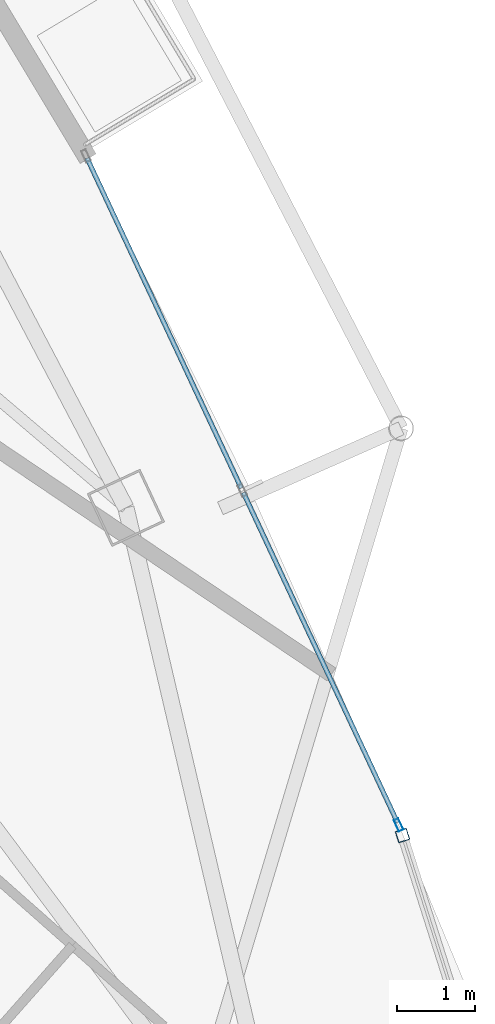
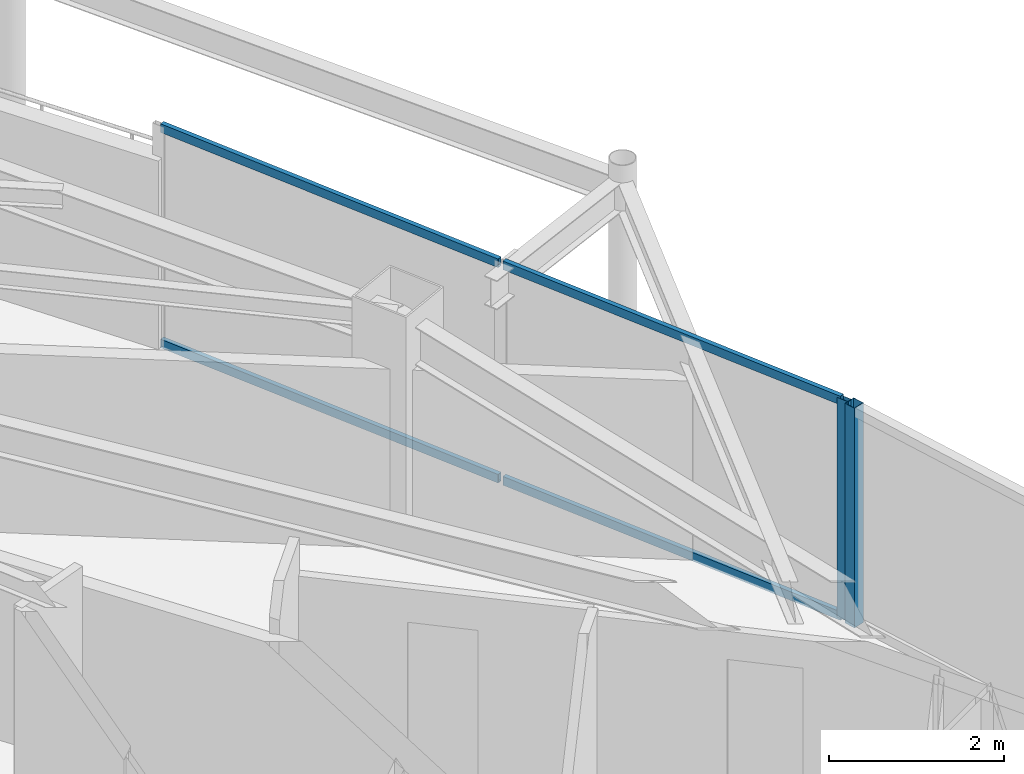
# One storey, part 16 of 29: 6 members, 2 elements without a shape of their own.
"""IFC4 building model written with IfcOpenShell, lengths in metres."""

from ifc_helpers import new_model, si_unit, direction, frame, origin, origin_2d, place, context, subcontext, project, spatial, hollow_rectangle, extrude, material, layer, layer_set, material_profile, profile_set, type_object, element, aggregate, save


model = new_model("IFC4")

# Units and contexts
model_context = context("Model", 3, precision=1e-05, world=origin(), true_north=direction((0.0, 1.0)))
body_context = subcontext(model_context, "Body", "Model", "MODEL_VIEW")
ifc_project = project(units=[si_unit("LENGTHUNIT", "METRE"), si_unit("AREAUNIT", "SQUARE_METRE"), si_unit("VOLUMEUNIT", "CUBIC_METRE"), si_unit("PLANEANGLEUNIT", "RADIAN"), si_unit("MASSUNIT", "GRAM", prefix="KILO")], contexts=[model_context])

# Site, building, storey
site_placement = place(None, origin())
site = spatial("IfcSite", under=ifc_project, at=site_placement, CompositionType="ELEMENT")
building_placement = place(site_placement, origin())
building = spatial("IfcBuilding", under=site, at=building_placement, Name="Orvanel Arch Residences", CompositionType="ELEMENT")
storey_placement = place(building_placement, frame((0.0, 0.0, 250.25)))
storey = spatial("IfcBuildingStorey", under=building, at=storey_placement, Name="L71", CompositionType="ELEMENT", Elevation=250.25)

# Curtain wall, member
ifc_material = material(Name="Bronze-anodised aluminium AA6063-T6", Category="aluminium")
ifc_layer_1 = layer(ifc_material, 0.18994140625)
ifc_layer_set_1 = layer_set([ifc_layer_1], Name="Bronze-anodised aluminium AA6063-T6")
curtain_wall_type_1 = type_object("IfcCurtainWallType", Name="CW5-CRN-SYS", PredefinedType="NOTDEFINED", material=ifc_layer_set_1)
curtain_wall_1_placement = place(storey_placement, origin())
curtain_wall_1 = element("IfcCurtainWall", 1, at=curtain_wall_1_placement, inside=storey, type_object=curtain_wall_type_1, Name="L71 CW5-CRN-SYS Unitised Curtain Wall", PredefinedType="NOTDEFINED")
ifc_material_profile_1 = material_profile(ifc_material, hollow_rectangle(XDim=0.14990234375, YDim=0.14990234375, WallThickness=0.0048828125, at=origin_2d()), Name="ALU150x150x5")
ifc_profile_set_1 = profile_set([ifc_material_profile_1], Name="Bronze-anodised aluminium AA6063-T6")
member_type_1 = type_object("IfcMemberType", Name="MUL-150x150", PredefinedType="MULLION", material=ifc_profile_set_1)
member_1_placement = place(storey_placement, frame((53.20166015625, 15.41357421875, 0.0), z_axis=(0.0, 0.0, 1.0), x_axis=(-0.953089092544, -0.302689910097, 0.0)))
member_1 = element("IfcMember", 2, at=member_1_placement, type_object=member_type_1, Name="CW-S5 mullion 2", PredefinedType="MULLION", context=body_context, shape_type="SweptSolid", body=[
    extrude(hollow_rectangle(XDim=0.14990234375, YDim=0.14990234375, WallThickness=0.0048828125, at=origin_2d()), origin(), (0.0, 0.0, 1.0), 3.06005859375),
])
aggregate(curtain_wall_1, [member_1])

# Curtain wall, members
ifc_layer_2 = layer(ifc_material, 0.175048828125)
ifc_layer_set_2 = layer_set([ifc_layer_2], Name="Bronze-anodised aluminium AA6063-T6")
curtain_wall_type_2 = type_object("IfcCurtainWallType", Name="CW4-HI-SYS", PredefinedType="NOTDEFINED", material=ifc_layer_set_2)
curtain_wall_2_placement = place(storey_placement, origin())
curtain_wall_2 = element("IfcCurtainWall", 3, at=curtain_wall_2_placement, inside=storey, type_object=curtain_wall_type_2, Name="L71 CW4-HI-SYS Unitised Curtain Wall", PredefinedType="NOTDEFINED")
ifc_material_profile_2 = material_profile(ifc_material, hollow_rectangle(XDim=0.06494140625, YDim=0.159912109375, WallThickness=0.00390625, at=origin_2d()), Name="ALU160x65x4")
ifc_profile_set_2 = profile_set([ifc_material_profile_2], Name="Bronze-anodised aluminium AA6063-T6")
member_type_2 = type_object("IfcMemberType", Name="MUL-160x65", PredefinedType="MULLION", material=ifc_profile_set_2)
member_2_placement = place(storey_placement, frame((53.151123046875, 15.551513671875, 0.0), z_axis=(0.0, 0.0, 1.0), x_axis=(-0.905975305707, -0.423330539235, 0.0)))
member_2 = element("IfcMember", 4, at=member_2_placement, type_object=member_type_2, Name="CW-S4 mullion 1", PredefinedType="MULLION", context=body_context, shape_type="SweptSolid", body=[
    extrude(hollow_rectangle(XDim=0.06494140625, YDim=0.159912109375, WallThickness=0.00390625, at=origin_2d()), origin(), (0.0, 0.0, 1.0), 3.06005859375),
])
ifc_material_profile_3 = material_profile(ifc_material, hollow_rectangle(XDim=0.06005859375, YDim=0.1201171875, WallThickness=0.00341796875, at=origin_2d()), Name="ALU120x60x3.5")
ifc_profile_set_3 = profile_set([ifc_material_profile_3], Name="Bronze-anodised aluminium AA6063-T6")
member_type_3 = type_object("IfcMemberType", Name="TRN-120x60", PredefinedType="USERDEFINED", material=ifc_profile_set_3)
member_3_placement = place(storey_placement, frame((53.137451171875, 15.580810546875, 0.030029296875), z_axis=(-0.423323424592, 0.905978630097, 0.0), x_axis=(-0.905978630097, -0.423323424592, 0.0)))
member_3 = element("IfcMember", 5, at=member_3_placement, type_object=member_type_3, Name="CW-S4 transom 1.1", ObjectType="TRANSOM", PredefinedType="USERDEFINED", context=body_context, shape_type="SweptSolid", body=[
    extrude(hollow_rectangle(XDim=0.06005859375, YDim=0.1201171875, WallThickness=0.00341796875, at=origin_2d()), origin(), (0.0, 0.0, 1.0), 4.69921875),
])
member_4_placement = place(storey_placement, frame((53.137451171875, 15.580810546875, 3.030029296875), z_axis=(-0.423323424592, 0.905978630097, 0.0), x_axis=(-0.905978630097, -0.423323424592, 0.0)))
member_4 = element("IfcMember", 6, at=member_4_placement, type_object=member_type_3, Name="CW-S4 transom 1.2", ObjectType="TRANSOM", PredefinedType="USERDEFINED", context=body_context, shape_type="SweptSolid", body=[
    extrude(hollow_rectangle(XDim=0.06005859375, YDim=0.1201171875, WallThickness=0.00341796875, at=origin_2d()), origin(), (0.0, 0.0, 1.0), 4.69921875),
])
member_5_placement = place(storey_placement, frame((51.120849609375, 19.89697265625, 0.030029296875), z_axis=(-0.423343351033, 0.905969319092, 0.0), x_axis=(-0.905969319092, -0.423343351033, 0.0)))
member_5 = element("IfcMember", 7, at=member_5_placement, type_object=member_type_3, Name="CW-S4 transom 2.1", ObjectType="TRANSOM", PredefinedType="USERDEFINED", context=body_context, shape_type="SweptSolid", body=[
    extrude(hollow_rectangle(XDim=0.06005859375, YDim=0.1201171875, WallThickness=0.00341796875, at=origin_2d()), origin(), (0.0, 0.0, 1.0), 4.698974609375),
])
member_6_placement = place(storey_placement, frame((51.120849609375, 19.89697265625, 3.030029296875), z_axis=(-0.423343351033, 0.905969319092, 0.0), x_axis=(-0.905969319092, -0.423343351033, 0.0)))
member_6 = element("IfcMember", 8, at=member_6_placement, type_object=member_type_3, Name="CW-S4 transom 2.2", ObjectType="TRANSOM", PredefinedType="USERDEFINED", context=body_context, shape_type="SweptSolid", body=[
    extrude(hollow_rectangle(XDim=0.06005859375, YDim=0.1201171875, WallThickness=0.00341796875, at=origin_2d()), origin(), (0.0, 0.0, 1.0), 4.698974609375),
])
aggregate(curtain_wall_2, [member_2, member_3, member_4, member_5, member_6])

save(model, "model.ifc")
